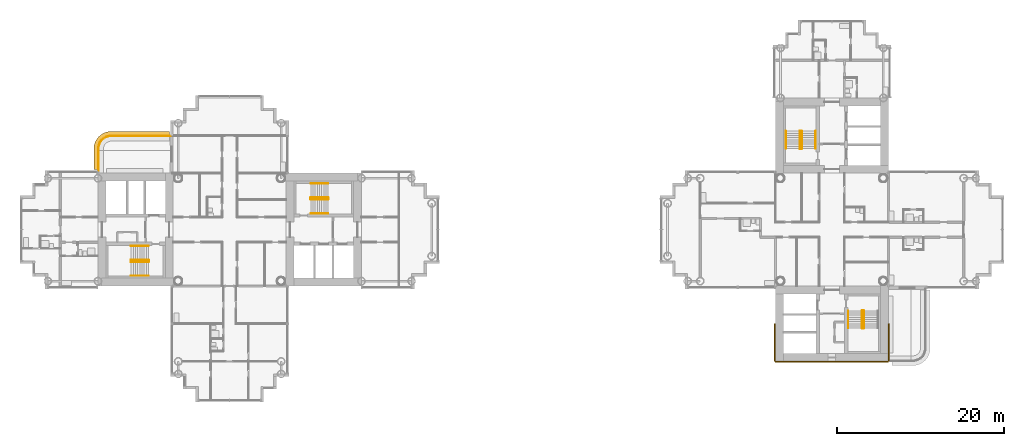
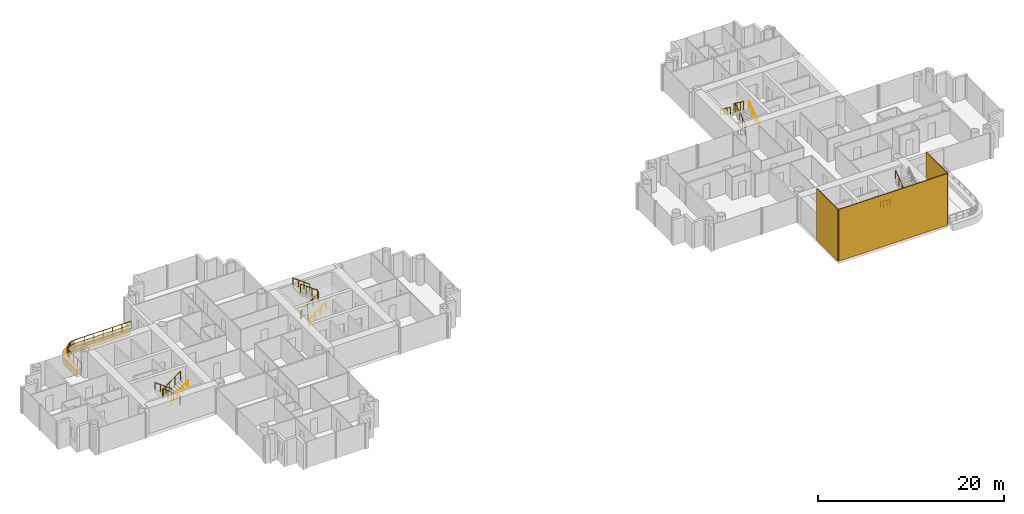
# One storey, part 20 of 22: 12 railings, 4 coverings.
"""IFC4 building model written with IfcOpenShell, lengths in metres."""

import ifcopenshell
import ifcopenshell.guid

model = None  # the IFC model being written
_history = None  # IfcOwnerHistory: only IFC2X3 demands one
_inside = {}  # id of a spatial element -> (the spatial element, [elements in it])
_under = {}  # id of a project, library or spatial element -> (it, [spatial elements below it])
_declared = {}  # id of a project -> (the project, [libraries it declares])
_typed = {}  # id of a type object -> (the type object, [elements of that type])
_made_of = {}  # id of a material, layer set ... -> (it, [elements and type objects made of it])


def new_model(schema):
    """Start an empty IFC model of exactly this schema.

    Asked for "IFC4X3", IfcOpenShell would pick the latest addendum, in which some entities
    have other attributes; the version numbers below select the first issue.
    IFC2X3 requires an IfcOwnerHistory on every rooted entity: one is made here for all.
    """
    global model, _history
    if schema == "IFC4X3":
        model = ifcopenshell.file(schema_version=(4, 3, 0, 0))
    else:
        model = ifcopenshell.file(schema=schema)
    _inside.clear()
    _under.clear()
    _declared.clear()
    _typed.clear()
    _made_of.clear()
    _history = None
    if model.schema == "IFC2X3":
        org = make("IfcOrganization", Name="unknown")
        user = make(
            "IfcPersonAndOrganization",
            ThePerson=make("IfcPerson", FamilyName="unknown"),
            TheOrganization=org,
        )
        app = make(
            "IfcApplication",
            ApplicationDeveloper=org,
            Version="unknown",
            ApplicationFullName="unknown",
            ApplicationIdentifier="unknown",
        )
        _history = make(
            "IfcOwnerHistory",
            OwningUser=user,
            OwningApplication=app,
            ChangeAction="ADDED",
            CreationDate=0,
        )
    return model


def make(cls, **values):
    """One entity of the class cls with the attributes given. An attribute that is None is left unset."""
    return model.create_entity(
        cls, **{name: value for name, value in values.items() if value is not None}
    )


def rooted(cls, **values):
    """An entity with a GlobalId (a new one), such as an element, a storey or a relation."""
    return make(cls, GlobalId=ifcopenshell.guid.new(), OwnerHistory=_history, **values)


def si_unit(unit_type, name, prefix=None):
    """IfcSIUnit, for example si_unit("LENGTHUNIT", "METRE", prefix="MILLI")."""
    return make("IfcSIUnit", UnitType=unit_type, Prefix=prefix, Name=name)


def assignment(units):
    """IfcUnitAssignment: the units of a project."""
    return None if units is None else make("IfcUnitAssignment", Units=units)


def point(xyz):
    """IfcCartesianPoint."""
    return None if xyz is None else make("IfcCartesianPoint", Coordinates=xyz)


def direction(xyz):
    """IfcDirection."""
    return None if xyz is None else make("IfcDirection", DirectionRatios=xyz)


def frame(location, z_axis=None, x_axis=None):
    """IfcAxis2Placement3D, a coordinate frame: its origin and axes. An axis left out is left unset."""
    return make(
        "IfcAxis2Placement3D",
        Location=point(location),
        Axis=direction(z_axis),
        RefDirection=direction(x_axis),
    )


def frame_2d(location, x_axis=None):
    """IfcAxis2Placement2D, a coordinate frame in the plane: its origin and x axis."""
    return make(
        "IfcAxis2Placement2D", Location=point(location), RefDirection=direction(x_axis)
    )


def origin():
    """The frame at (0, 0, 0) with its axes left unset."""
    return frame((0.0, 0.0, 0.0))


def origin_2d():
    """The frame at (0, 0) in the plane with its x axis left unset."""
    return frame_2d((0.0, 0.0))


def place(relative_to, where):
    """IfcLocalPlacement: puts the frame where relative to a parent placement (None: the world)."""
    return make(
        "IfcLocalPlacement", PlacementRelTo=relative_to, RelativePlacement=where
    )


def context(
    kind, dimensions, precision=None, world=None, true_north=None, identifier=None
):
    """IfcGeometricRepresentationContext, for example the 3D "Model" context."""
    return make(
        "IfcGeometricRepresentationContext",
        ContextIdentifier=identifier,
        ContextType=kind,
        CoordinateSpaceDimension=dimensions,
        Precision=precision,
        WorldCoordinateSystem=world,
        TrueNorth=true_north,
    )


def subcontext(parent, identifier, kind, view, scale=None):
    """IfcGeometricRepresentationSubContext, for example "Body" below "Model"."""
    return make(
        "IfcGeometricRepresentationSubContext",
        ContextIdentifier=identifier,
        ContextType=kind,
        ParentContext=parent,
        TargetScale=scale,
        TargetView=view,
    )


def project(units=None, contexts=None):
    """IfcProject with its units and contexts."""
    return rooted(
        "IfcProject",
        Name="project",
        RepresentationContexts=contexts,
        UnitsInContext=assignment(units),
    )


def spatial(cls, under=None, at=None, **own):
    """A site, building, storey or space (cls), placed at a placement, below another one or the project."""
    s = rooted(cls, ObjectPlacement=at, **own)
    if under is not None:
        _under.setdefault(under.id(), (under, []))[1].append(s)
    return s


def polyline(points):
    """IfcPolyline through the points."""
    return make("IfcPolyline", Points=[point(p) for p in points])


def profile(cls, at=None, kind="AREA", **sizes):
    """A parametric profile (cls). Its sizes go by their IFC names, for example OverallWidth=200.0."""
    return make(cls, ProfileType=kind, Position=at, **sizes)


def rectangle(**sizes):
    """IfcRectangleProfileDef."""
    return profile("IfcRectangleProfileDef", **sizes)


def circle(**sizes):
    """IfcCircleProfileDef."""
    return profile("IfcCircleProfileDef", **sizes)


def outline(outer, holes=None, kind="AREA"):
    """IfcArbitraryClosedProfileDef: a profile drawn as a closed curve; with holes, ...WithVoids."""
    if holes is None:
        return make("IfcArbitraryClosedProfileDef", ProfileType=kind, OuterCurve=outer)
    return make(
        "IfcArbitraryProfileDefWithVoids",
        ProfileType=kind,
        OuterCurve=outer,
        InnerCurves=holes,
    )


def extrude(swept, where, along, depth):
    """IfcExtrudedAreaSolid: the profile swept, set in the frame where, extruded along a direction by depth."""
    return make(
        "IfcExtrudedAreaSolid",
        SweptArea=swept,
        Position=where,
        ExtrudedDirection=direction(along),
        Depth=depth,
    )


def shape(context_of_items, identifier, shape_type, items):
    """IfcShapeRepresentation: the items that make up one representation, for example the "Body"."""
    return make(
        "IfcShapeRepresentation",
        ContextOfItems=context_of_items,
        RepresentationIdentifier=identifier,
        RepresentationType=shape_type,
        Items=items,
    )


def material(Name=None, Category=None):
    """IfcMaterial."""
    return make("IfcMaterial", Name=Name, Category=Category)


def layer(
    of_material, thickness, ventilated=None, Name=None, Category=None, Priority=None
):
    """IfcMaterialLayer: one layer of a wall or slab, of a material (None: an air gap)."""
    return make(
        "IfcMaterialLayer",
        Material=of_material,
        LayerThickness=thickness,
        IsVentilated=ventilated,
        Name=Name,
        Category=Category,
        Priority=Priority,
    )


def layer_set(layers, Name=None):
    """IfcMaterialLayerSet."""
    return make("IfcMaterialLayerSet", MaterialLayers=layers, LayerSetName=Name)


def made_of(thing, what):
    """Note that an element or type object is made of a material, layer set ...; save() writes the relation."""
    if what is not None:
        _made_of.setdefault(what.id(), (what, []))[1].append(thing)
    return thing


def type_object(cls, material=None, **own):
    """A type object (cls), such as IfcWallType, which elements share."""
    return made_of(rooted(cls, **own), material)


def element(
    cls,
    number,
    at=None,
    inside=None,
    cuts=None,
    type_object=None,
    material=None,
    context=None,
    identifier="Body",
    shape_type=None,
    held_by="IfcProductDefinitionShape",
    body=None,
    shapes=None,
    **own,
):
    """One element of the class cls, such as IfcWall. Its Tag is "e" and its number.

    at: its placement. inside: the storey or other place that contains it. cuts: it is an
    opening in that element (IfcRelVoidsElement). A single representation is given by context,
    identifier, shape_type and body (its items); several are given by shapes. held_by: the class
    of the entity that holds the representations. save() writes the other relations.
    """
    e = rooted(cls, Tag="e%d" % number, ObjectPlacement=at, **own)
    if body is not None:
        shapes = [shape(context, identifier, shape_type, body)]
    if shapes is not None:
        e.Representation = make(held_by, Representations=shapes)
    if inside is not None:
        _inside.setdefault(inside.id(), (inside, []))[1].append(e)
    if cuts is not None:
        rooted(
            "IfcRelVoidsElement", RelatingBuildingElement=cuts, RelatedOpeningElement=e
        )
    if type_object is not None:
        _typed.setdefault(type_object.id(), (type_object, []))[1].append(e)
    return made_of(e, material)


def aggregate(whole, parts):
    """IfcRelAggregates: a whole, such as a stair, and the parts it consists of."""
    return rooted("IfcRelAggregates", RelatingObject=whole, RelatedObjects=parts)


def save(model, path):
    """Write the relations noted so far, then the file.

    IfcRelAggregates (storeys below a building ...), IfcRelContainedInSpatialStructure (elements
    in a storey), IfcRelDefinesByType, IfcRelAssociatesMaterial and IfcRelDeclares: one each for
    every whole, place, type object, material and project.
    """
    for whole, parts in _under.values():
        aggregate(whole, parts)
    for where, things in _inside.values():
        rooted(
            "IfcRelContainedInSpatialStructure",
            RelatedElements=things,
            RelatingStructure=where,
        )
    for kind, things in _typed.values():
        rooted("IfcRelDefinesByType", RelatedObjects=things, RelatingType=kind)
    for what, things in _made_of.values():
        rooted("IfcRelAssociatesMaterial", RelatedObjects=things, RelatingMaterial=what)
    for by, libraries in _declared.values():
        rooted("IfcRelDeclares", RelatingContext=by, RelatedDefinitions=libraries)
    model.write(path)


model = new_model("IFC4")

# Units and contexts
model_context = context("Model", 3, precision=1e-05, world=origin(), true_north=direction((0.0, 1.0)))
body_context = subcontext(model_context, "Body", "Model", "MODEL_VIEW")
ifc_project = project(units=[si_unit("LENGTHUNIT", "METRE"), si_unit("AREAUNIT", "SQUARE_METRE"), si_unit("VOLUMEUNIT", "CUBIC_METRE"), si_unit("PLANEANGLEUNIT", "RADIAN"), si_unit("MASSUNIT", "GRAM", prefix="KILO")], contexts=[model_context])

# Site, building, storey
site_placement = place(None, origin())
site = spatial("IfcSite", under=ifc_project, at=site_placement, CompositionType="ELEMENT")
building_placement = place(site_placement, origin())
building = spatial("IfcBuilding", under=site, at=building_placement, Name="Ipe Terrace Towers", CompositionType="ELEMENT")
storey_placement = place(building_placement, frame((0.0, 0.0, 90.199951171875)))
storey = spatial("IfcBuildingStorey", under=building, at=storey_placement, Name="L24", CompositionType="ELEMENT", Elevation=90.199951171875)

# Railing
ifc_material_1 = material(Name="Stainless steel S316", Category="steel")
railing_type_1 = type_object("IfcRailingType", Name="GUARD 1100", PredefinedType="BALUSTRADE", material=ifc_material_1)
railing_1_placement = place(storey_placement, frame((-43.070068359375, 11.199951171875, -0.02001953125)))
element("IfcRailing", 1, at=railing_1_placement, inside=storey, type_object=railing_type_1, Name="guard", PredefinedType="BALUSTRADE", context=body_context, shape_type="SweptSolid", body=[
    extrude(circle(Radius=0.02392578125, at=origin_2d()), frame((0.0, 0.0, 1.076171875), z_axis=(-1.0, 0.0, 0.0), x_axis=(0.0, -1.0, 0.0)), (0.0, 0.0, 1.0), 7.077880859375),
    extrude(circle(Radius=0.02392578125, at=origin_2d()), frame((-7.077880859375, 0.0, 1.076171875), z_axis=(-0.997996439513, -0.063270109204, 0.0), x_axis=(0.063270109204, -0.997996439513, 0.0)), (0.0, 0.0, 1.0), 0.20458984375),
    extrude(circle(Radius=0.02392578125, at=origin_2d()), frame((-7.281982421875, -0.012939453125, 1.076171875), z_axis=(-0.980348670139, -0.197272615832, 0.0), x_axis=(0.197272615832, -0.980348670139, 0.0)), (0.0, 0.0, 1.0), 0.202880859375),
    extrude(circle(Radius=0.02392578125, at=origin_2d()), frame((-7.48095703125, -0.052978515625, 1.076171875), z_axis=(-0.947227229435, -0.320562904618, 0.0), x_axis=(0.320562904618, -0.947227229435, 0.0)), (0.0, 0.0, 1.0), 0.20263671875),
    extrude(circle(Radius=0.02392578125, at=origin_2d()), frame((-7.6728515625, -0.117919921875, 1.076171875), z_axis=(-0.896341374877, -0.443364567466, 0.0), x_axis=(0.443364567466, -0.896341374877, 0.0)), (0.0, 0.0, 1.0), 0.203125),
    extrude(circle(Radius=0.02392578125, at=origin_2d()), frame((-7.85498046875, -0.2080078125, 1.076171875), z_axis=(-0.833344910936, -0.552753344103, 0.0), x_axis=(0.552753344103, -0.833344910936, 0.0)), (0.0, 0.0, 1.0), 0.20263671875),
    extrude(circle(Radius=0.02392578125, at=origin_2d()), frame((-8.02392578125, -0.320068359375, 1.076171875), z_axis=(-0.750856952854, -0.660464863827, 0.0), x_axis=(0.660464863827, -0.750856952854, 0.0)), (0.0, 0.0, 1.0), 0.20263671875),
    extrude(circle(Radius=0.02392578125, at=origin_2d()), frame((-8.176025390625, -0.453857421875, 1.076171875), z_axis=(-0.660464863827, -0.750856952854, 0.0), x_axis=(0.750856952854, -0.660464863827, 0.0)), (0.0, 0.0, 1.0), 0.20263671875),
    extrude(circle(Radius=0.02392578125, at=origin_2d()), frame((-8.309814453125, -0.60595703125, 1.076171875), z_axis=(-0.552753344103, -0.833344910936, 0.0), x_axis=(0.833344910936, -0.552753344103, 0.0)), (0.0, 0.0, 1.0), 0.20263671875),
    extrude(circle(Radius=0.02392578125, at=origin_2d()), frame((-8.421875, -0.77490234375, 1.076171875), z_axis=(-0.443364567466, -0.896341374877, 0.0), x_axis=(0.896341374877, -0.443364567466, 0.0)), (0.0, 0.0, 1.0), 0.203125),
    extrude(circle(Radius=0.02392578125, at=origin_2d()), frame((-8.511962890625, -0.95703125, 1.076171875), z_axis=(-0.320562904618, -0.947227229435, 0.0), x_axis=(0.947227229435, -0.320562904618, 0.0)), (0.0, 0.0, 1.0), 0.20263671875),
    extrude(circle(Radius=0.02392578125, at=origin_2d()), frame((-8.576904296875, -1.14892578125, 1.076171875), z_axis=(-0.197272615832, -0.980348670139, 0.0), x_axis=(0.980348670139, -0.197272615832, 0.0)), (0.0, 0.0, 1.0), 0.202880859375),
    extrude(circle(Radius=0.02392578125, at=origin_2d()), frame((-8.616943359375, -1.347900390625, 1.076171875), z_axis=(-0.063270109204, -0.997996439513, 0.0), x_axis=(0.997996439513, -0.063270109204, 0.0)), (0.0, 0.0, 1.0), 0.20458984375),
    extrude(circle(Radius=0.02392578125, at=origin_2d()), frame((-8.6298828125, -1.552001953125, 1.076171875), z_axis=(0.0, -1.0, 0.0), x_axis=(1.0, 0.0, 0.0)), (0.0, 0.0, 1.0), 2.577880859375),
    extrude(circle(Radius=0.02099609375, at=origin_2d()), origin(), (0.0, 0.0, 1.0), 1.052001953125),
    extrude(circle(Radius=0.02099609375, at=origin_2d()), frame((-1.1796875, 0.0, 0.0)), (0.0, 0.0, 1.0), 1.052001953125),
    extrude(circle(Radius=0.02099609375, at=origin_2d()), frame((-2.359375, 0.0, 0.0)), (0.0, 0.0, 1.0), 1.052001953125),
    extrude(circle(Radius=0.02099609375, at=origin_2d()), frame((-3.5390625, 0.0, 0.0)), (0.0, 0.0, 1.0), 1.052001953125),
    extrude(circle(Radius=0.02099609375, at=origin_2d()), frame((-4.718505859375, 0.0, 0.0)), (0.0, 0.0, 1.0), 1.052001953125),
    extrude(circle(Radius=0.02099609375, at=origin_2d()), frame((-5.898193359375, 0.0, 0.0)), (0.0, 0.0, 1.0), 1.052001953125),
    extrude(circle(Radius=0.02099609375, at=origin_2d()), frame((-7.077880859375, 0.0, 0.0)), (0.0, 0.0, 1.0), 1.052001953125),
    extrude(circle(Radius=0.02099609375, at=origin_2d()), frame((-7.281982421875, -0.012939453125, 0.0)), (0.0, 0.0, 1.0), 1.052001953125),
    extrude(circle(Radius=0.02099609375, at=origin_2d()), frame((-7.48095703125, -0.052978515625, 0.0)), (0.0, 0.0, 1.0), 1.052001953125),
    extrude(circle(Radius=0.02099609375, at=origin_2d()), frame((-7.6728515625, -0.117919921875, 0.0)), (0.0, 0.0, 1.0), 1.052001953125),
    extrude(circle(Radius=0.02099609375, at=origin_2d()), frame((-7.85498046875, -0.2080078125, 0.0)), (0.0, 0.0, 1.0), 1.052001953125),
    extrude(circle(Radius=0.02099609375, at=origin_2d()), frame((-8.02392578125, -0.320068359375, 0.0)), (0.0, 0.0, 1.0), 1.052001953125),
    extrude(circle(Radius=0.02099609375, at=origin_2d()), frame((-8.176025390625, -0.453857421875, 0.0)), (0.0, 0.0, 1.0), 1.052001953125),
    extrude(circle(Radius=0.02099609375, at=origin_2d()), frame((-8.309814453125, -0.60595703125, 0.0)), (0.0, 0.0, 1.0), 1.052001953125),
    extrude(circle(Radius=0.02099609375, at=origin_2d()), frame((-8.421875, -0.77490234375, 0.0)), (0.0, 0.0, 1.0), 1.052001953125),
    extrude(circle(Radius=0.02099609375, at=origin_2d()), frame((-8.511962890625, -0.95703125, 0.0)), (0.0, 0.0, 1.0), 1.052001953125),
    extrude(circle(Radius=0.02099609375, at=origin_2d()), frame((-8.576904296875, -1.14892578125, 0.0)), (0.0, 0.0, 1.0), 1.052001953125),
    extrude(circle(Radius=0.02099609375, at=origin_2d()), frame((-8.616943359375, -1.347900390625, 0.0)), (0.0, 0.0, 1.0), 1.052001953125),
    extrude(circle(Radius=0.02099609375, at=origin_2d()), frame((-8.6298828125, -1.552001953125, 0.0)), (0.0, 0.0, 1.0), 1.052001953125),
    extrude(circle(Radius=0.02099609375, at=origin_2d()), frame((-8.6298828125, -2.411376953125, 0.0)), (0.0, 0.0, 1.0), 1.052001953125),
    extrude(circle(Radius=0.02099609375, at=origin_2d()), frame((-8.6298828125, -3.2705078125, 0.0)), (0.0, 0.0, 1.0), 1.052001953125),
    extrude(circle(Radius=0.02099609375, at=origin_2d()), frame((-8.6298828125, -4.1298828125, 0.0)), (0.0, 0.0, 1.0), 1.052001953125),
])

# Coverings
ifc_material_2 = material(Name="Concrete C50/60 precast, buff finish", Category="concrete")
ifc_layer_1 = layer(ifc_material_2, 0.1201171875)
ifc_layer_set_1 = layer_set([ifc_layer_1], Name="STONE CORE CLADDING 120")
covering_type_1 = type_object("IfcCoveringType", Name="STONE CORE CLADDING 120", PredefinedType="CLADDING", material=ifc_layer_set_1)
covering_1_placement = place(storey_placement, frame((36.0, -15.81005859375, 0.0), z_axis=(0.0, 0.0, 1.0), x_axis=(1.0, 0.0, 0.0)))
element("IfcCovering", 2, at=covering_1_placement, inside=storey, type_object=covering_type_1, Name="stone core cladding", PredefinedType="CLADDING", context=body_context, shape_type="SweptSolid", body=[
    extrude(rectangle(XDim=13.5, YDim=0.1201171875, at=origin_2d()), origin(), (0.0, 0.0, 1.0), 6.800048828125),
])
for number, where, z_axis, x_axis, name in (
    (3, (29.18994140625, -13.5, 0.0), (0.0, 0.0, 1.0), (0.0, -1.0, 0.0), "stone core cladding"),
    (4, (42.81005859375, -13.5, 0.0), (0.0, 0.0, 1.0), (0.0, 1.0, 0.0), "stone core cladding"),
):
    element("IfcCovering", number, at=place(storey_placement, frame(where, z_axis=z_axis, x_axis=x_axis)), inside=storey, type_object=covering_type_1, Name=name, PredefinedType="CLADDING", context=body_context, shape_type="SweptSolid", body=[
        extrude(rectangle(XDim=4.5, YDim=0.1201171875, at=origin_2d()), origin(), (0.0, 0.0, 1.0), 6.800048828125),
    ])
ifc_material_3 = material(Name="Concrete C50/60 precast, buff finish", Category="concrete")
ifc_layer_2 = layer(ifc_material_3, 0.5)
ifc_layer_set_2 = layer_set([ifc_layer_2], Name="STONE EDGE BAND 500 x 900")
covering_type_2 = type_object("IfcCoveringType", Name="STONE EDGE BAND 500 x 900", PredefinedType="CLADDING", material=ifc_layer_set_2)
covering_2_placement = place(storey_placement, frame((0.0, 0.0, -0.719970703125)))
element("IfcCovering", 5, at=covering_2_placement, inside=storey, type_object=covering_type_2, Name="stone edge band", PredefinedType="CLADDING", context=body_context, shape_type="SweptSolid", body=[
    extrude(outline(polyline([(-50.14990234375, 11.75), (-50.18310546875, 11.7490234375), (-50.39208984375, 11.735107421875), (-50.4560546875, 11.72705078125), (-50.662109375, 11.68603515625), (-50.72509765625, 11.6689453125), (-50.923095703125, 11.60205078125), (-50.98291015625, 11.576904296875), (-51.1708984375, 11.48388671875), (-51.22802734375, 11.450927734375), (-51.402099609375, 11.3349609375), (-51.4541015625, 11.294921875), (-51.611083984375, 11.156982421875), (-51.656982421875, 11.111083984375), (-51.794921875, 10.9541015625), (-51.8349609375, 10.902099609375), (-51.950927734375, 10.72802734375), (-51.98388671875, 10.6708984375), (-52.076904296875, 10.48291015625), (-52.10205078125, 10.423095703125), (-52.1689453125, 10.22509765625), (-52.18603515625, 10.162109375), (-52.22705078125, 9.9560546875), (-52.235107421875, 9.89208984375), (-52.2490234375, 9.68310546875), (-52.25, 9.64990234375), (-52.25, 7.199951171875), (-51.75, 7.199951171875), (-51.75, 9.64990234375), (-51.736083984375, 9.85888671875), (-51.695068359375, 10.06396484375), (-51.6279296875, 10.261962890625), (-51.535888671875, 10.449951171875), (-51.4189453125, 10.6240234375), (-51.281005859375, 10.781005859375), (-51.1240234375, 10.9189453125), (-50.949951171875, 11.035888671875), (-50.761962890625, 11.1279296875), (-50.56396484375, 11.195068359375), (-50.35888671875, 11.236083984375), (-50.14990234375, 11.25), (-43.199951171875, 11.25), (-43.199951171875, 11.75), (-50.14990234375, 11.75)])), origin(), (0.0, 0.0, 1.0), 0.89990234375),
])

# Railings
ifc_material_4 = material(Name="Steel S355", Category="steel")
railing_type_2 = type_object("IfcRailingType", Name="Stair guard 1100", PredefinedType="GUARDRAIL", material=ifc_material_4)
railing_2_placement = place(storey_placement, frame((-26.35009765625, 3.800048828125, 0.0)))
element("IfcRailing", 6, at=railing_2_placement, inside=storey, type_object=railing_type_2, Name="L24 T1-ST1 stair guard 1", PredefinedType="GUARDRAIL", context=body_context, shape_type="SweptSolid", body=[
    extrude(circle(Radius=0.02392578125, at=origin_2d()), frame((0.0, 0.0, 1.076171875), z_axis=(0.0, -1.0, 0.0), x_axis=(1.0, 0.0, 0.0)), (0.0, 0.0, 1.0), 0.150146484375),
    extrude(circle(Radius=0.02392578125, at=origin_2d()), frame((0.0, -0.150146484375, 1.076171875), z_axis=(0.248103849378, -0.246893586699, 0.936743314239), x_axis=(0.705375805398, 0.708833529934, 0.0)), (0.0, 0.0, 1.0), 0.20166015625),
    extrude(circle(Radius=0.02392578125, at=origin_2d()), frame((0.050048828125, -0.199951171875, 1.26513671875), z_axis=(0.809068575486, 0.0, 0.587714250432), x_axis=(0.0, 1.0, 0.0)), (0.0, 0.0, 1.0), 2.571044921875),
    extrude(circle(Radius=0.02392578125, at=origin_2d()), frame((2.130126953125, -0.199951171875, 2.77587890625), z_axis=(0.708833529934, 0.705375805398, 0.0), x_axis=(-0.705375805398, 0.708833529934, 0.0)), (0.0, 0.0, 1.0), 0.070556640625),
    extrude(circle(Radius=0.02392578125, at=origin_2d()), frame((2.18017578125, -0.150146484375, 2.77587890625), z_axis=(0.0, 1.0, 0.0), x_axis=(-1.0, 0.0, 0.0)), (0.0, 0.0, 1.0), 0.150146484375),
    extrude(circle(Radius=0.02392578125, at=origin_2d()), frame((2.18017578125, 0.0, 2.77587890625), z_axis=(-0.248029566107, 0.248029566107, 0.936462849596), x_axis=(-0.707106781187, -0.707106781187, 0.0)), (0.0, 0.0, 1.0), 0.201904296875),
    extrude(circle(Radius=0.02392578125, at=origin_2d()), frame((2.130126953125, 0.050048828125, 2.96484375), z_axis=(-0.809023421508, 0.0, 0.587776406001), x_axis=(0.0, -1.0, 0.0)), (0.0, 0.0, 1.0), 2.571044921875),
    extrude(circle(Radius=0.02099609375, at=origin_2d()), origin(), (0.0, 0.0, 1.0), 1.052001953125),
    extrude(circle(Radius=0.02099609375, at=origin_2d()), frame((0.0, -0.150146484375, 0.0)), (0.0, 0.0, 1.0), 1.052001953125),
    extrude(circle(Radius=0.02099609375, at=origin_2d()), frame((0.050048828125, -0.199951171875, 0.18896484375)), (0.0, 0.0, 1.0), 1.052001953125),
    extrude(circle(Radius=0.02099609375, at=origin_2d()), frame((0.743408203125, -0.199951171875, 0.692626953125)), (0.0, 0.0, 1.0), 1.052001953125),
    extrude(circle(Radius=0.02099609375, at=origin_2d()), frame((1.436767578125, -0.199951171875, 1.1962890625)), (0.0, 0.0, 1.0), 1.052001953125),
    extrude(circle(Radius=0.02099609375, at=origin_2d()), frame((2.130126953125, -0.199951171875, 1.699951171875)), (0.0, 0.0, 1.0), 1.052001953125),
    extrude(circle(Radius=0.02099609375, at=origin_2d()), frame((2.18017578125, -0.150146484375, 1.699951171875)), (0.0, 0.0, 1.0), 1.052001953125),
    extrude(circle(Radius=0.02099609375, at=origin_2d()), frame((2.18017578125, 0.0, 1.699951171875)), (0.0, 0.0, 1.0), 1.052001953125),
    extrude(circle(Radius=0.02099609375, at=origin_2d()), frame((2.130126953125, 0.050048828125, 1.888916015625)), (0.0, 0.0, 1.0), 1.052001953125),
    extrude(circle(Radius=0.02099609375, at=origin_2d()), frame((1.436767578125, 0.050048828125, 2.392578125)), (0.0, 0.0, 1.0), 1.052001953125),
    extrude(circle(Radius=0.02099609375, at=origin_2d()), frame((0.743408203125, 0.050048828125, 2.896484375)), (0.0, 0.0, 1.0), 1.052001953125),
    extrude(circle(Radius=0.02099609375, at=origin_2d()), frame((0.050048828125, 0.050048828125, 3.400146484375)), (0.0, 0.0, 1.0), 1.052001953125),
])
railing_3_placement = place(storey_placement, frame((-45.64990234375, -3.800048828125, 0.0)))
element("IfcRailing", 7, at=railing_3_placement, inside=storey, type_object=railing_type_2, Name="L24 T1-ST2 stair guard 1", PredefinedType="GUARDRAIL", context=body_context, shape_type="SweptSolid", body=[
    extrude(circle(Radius=0.02392578125, at=origin_2d()), frame((0.0, 0.0, 1.076171875), z_axis=(0.0, 1.0, 0.0), x_axis=(-1.0, 0.0, 0.0)), (0.0, 0.0, 1.0), 0.150146484375),
    extrude(circle(Radius=0.02392578125, at=origin_2d()), frame((0.0, 0.150146484375, 1.076171875), z_axis=(-0.248103849378, 0.246893586699, 0.936743314239), x_axis=(-0.705375805398, -0.708833529934, 0.0)), (0.0, 0.0, 1.0), 0.20166015625),
    extrude(circle(Radius=0.02392578125, at=origin_2d()), frame((-0.050048828125, 0.199951171875, 1.26513671875), z_axis=(-0.809068575486, 0.0, 0.587714250432), x_axis=(0.0, -1.0, 0.0)), (0.0, 0.0, 1.0), 2.571044921875),
    extrude(circle(Radius=0.02392578125, at=origin_2d()), frame((-2.130126953125, 0.199951171875, 2.77587890625), z_axis=(-0.708833529934, -0.705375805398, 0.0), x_axis=(0.705375805398, -0.708833529934, 0.0)), (0.0, 0.0, 1.0), 0.070556640625),
    extrude(circle(Radius=0.02392578125, at=origin_2d()), frame((-2.18017578125, 0.150146484375, 2.77587890625), z_axis=(0.0, -1.0, 0.0), x_axis=(1.0, 0.0, 0.0)), (0.0, 0.0, 1.0), 0.150146484375),
    extrude(circle(Radius=0.02392578125, at=origin_2d()), frame((-2.18017578125, 0.0, 2.77587890625), z_axis=(0.248029566107, -0.248029566107, 0.936462849596), x_axis=(0.707106781187, 0.707106781187, 0.0)), (0.0, 0.0, 1.0), 0.201904296875),
    extrude(circle(Radius=0.02392578125, at=origin_2d()), frame((-2.130126953125, -0.050048828125, 2.96484375), z_axis=(0.809023421508, 0.0, 0.587776406001), x_axis=(0.0, 1.0, 0.0)), (0.0, 0.0, 1.0), 2.571044921875),
    extrude(circle(Radius=0.02099609375, at=origin_2d()), origin(), (0.0, 0.0, 1.0), 1.052001953125),
    extrude(circle(Radius=0.02099609375, at=origin_2d()), frame((0.0, 0.150146484375, 0.0)), (0.0, 0.0, 1.0), 1.052001953125),
    extrude(circle(Radius=0.02099609375, at=origin_2d()), frame((-0.050048828125, 0.199951171875, 0.18896484375)), (0.0, 0.0, 1.0), 1.052001953125),
    extrude(circle(Radius=0.02099609375, at=origin_2d()), frame((-0.743408203125, 0.199951171875, 0.692626953125)), (0.0, 0.0, 1.0), 1.052001953125),
    extrude(circle(Radius=0.02099609375, at=origin_2d()), frame((-1.436767578125, 0.199951171875, 1.1962890625)), (0.0, 0.0, 1.0), 1.052001953125),
    extrude(circle(Radius=0.02099609375, at=origin_2d()), frame((-2.130126953125, 0.199951171875, 1.699951171875)), (0.0, 0.0, 1.0), 1.052001953125),
    extrude(circle(Radius=0.02099609375, at=origin_2d()), frame((-2.18017578125, 0.150146484375, 1.699951171875)), (0.0, 0.0, 1.0), 1.052001953125),
    extrude(circle(Radius=0.02099609375, at=origin_2d()), frame((-2.18017578125, 0.0, 1.699951171875)), (0.0, 0.0, 1.0), 1.052001953125),
    extrude(circle(Radius=0.02099609375, at=origin_2d()), frame((-2.130126953125, -0.050048828125, 1.888916015625)), (0.0, 0.0, 1.0), 1.052001953125),
    extrude(circle(Radius=0.02099609375, at=origin_2d()), frame((-1.436767578125, -0.050048828125, 2.392578125)), (0.0, 0.0, 1.0), 1.052001953125),
    extrude(circle(Radius=0.02099609375, at=origin_2d()), frame((-0.743408203125, -0.050048828125, 2.896484375)), (0.0, 0.0, 1.0), 1.052001953125),
    extrude(circle(Radius=0.02099609375, at=origin_2d()), frame((-0.050048828125, -0.050048828125, 3.400146484375)), (0.0, 0.0, 1.0), 1.052001953125),
])
railing_4_placement = place(storey_placement, frame((32.199951171875, 9.64990234375, 0.0)))
element("IfcRailing", 8, at=railing_4_placement, inside=storey, type_object=railing_type_2, Name="L24 T2-ST1 stair guard 1", PredefinedType="GUARDRAIL", context=body_context, shape_type="SweptSolid", body=[
    extrude(circle(Radius=0.02392578125, at=origin_2d()), frame((0.0, 0.0, 1.076171875), z_axis=(1.0, 0.0, 0.0), x_axis=(0.0, 1.0, 0.0)), (0.0, 0.0, 1.0), 0.150146484375),
    extrude(circle(Radius=0.02392578125, at=origin_2d()), frame((0.150146484375, 0.0, 1.076171875), z_axis=(0.246893586699, 0.248103849378, 0.936743314239), x_axis=(-0.708833529934, 0.705375805398, 0.0)), (0.0, 0.0, 1.0), 0.20166015625),
    extrude(circle(Radius=0.02392578125, at=origin_2d()), frame((0.199951171875, 0.050048828125, 1.26513671875), z_axis=(0.0, 0.809068575486, 0.587714250432), x_axis=(-1.0, 0.0, 0.0)), (0.0, 0.0, 1.0), 2.571044921875),
    extrude(circle(Radius=0.02392578125, at=origin_2d()), frame((0.199951171875, 2.130126953125, 2.77587890625), z_axis=(-0.705375805398, 0.708833529934, 0.0), x_axis=(-0.708833529934, -0.705375805398, 0.0)), (0.0, 0.0, 1.0), 0.070556640625),
    extrude(circle(Radius=0.02392578125, at=origin_2d()), frame((0.150146484375, 2.18017578125, 2.77587890625), z_axis=(-1.0, 0.0, 0.0), x_axis=(0.0, -1.0, 0.0)), (0.0, 0.0, 1.0), 0.150146484375),
    extrude(circle(Radius=0.02392578125, at=origin_2d()), frame((0.0, 2.18017578125, 2.77587890625), z_axis=(-0.248029566107, -0.248029566107, 0.936462849596), x_axis=(0.707106781187, -0.707106781187, 0.0)), (0.0, 0.0, 1.0), 0.201904296875),
    extrude(circle(Radius=0.02392578125, at=origin_2d()), frame((-0.050048828125, 2.130126953125, 2.96484375), z_axis=(0.0, -0.809023421508, 0.587776406001), x_axis=(1.0, 0.0, 0.0)), (0.0, 0.0, 1.0), 2.571044921875),
    extrude(circle(Radius=0.02099609375, at=origin_2d()), origin(), (0.0, 0.0, 1.0), 1.052001953125),
    extrude(circle(Radius=0.02099609375, at=origin_2d()), frame((0.150146484375, 0.0, 0.0)), (0.0, 0.0, 1.0), 1.052001953125),
    extrude(circle(Radius=0.02099609375, at=origin_2d()), frame((0.199951171875, 0.050048828125, 0.18896484375)), (0.0, 0.0, 1.0), 1.052001953125),
    extrude(circle(Radius=0.02099609375, at=origin_2d()), frame((0.199951171875, 0.743408203125, 0.692626953125)), (0.0, 0.0, 1.0), 1.052001953125),
    extrude(circle(Radius=0.02099609375, at=origin_2d()), frame((0.199951171875, 1.436767578125, 1.1962890625)), (0.0, 0.0, 1.0), 1.052001953125),
    extrude(circle(Radius=0.02099609375, at=origin_2d()), frame((0.199951171875, 2.130126953125, 1.699951171875)), (0.0, 0.0, 1.0), 1.052001953125),
    extrude(circle(Radius=0.02099609375, at=origin_2d()), frame((0.150146484375, 2.18017578125, 1.699951171875)), (0.0, 0.0, 1.0), 1.052001953125),
    extrude(circle(Radius=0.02099609375, at=origin_2d()), frame((0.0, 2.18017578125, 1.699951171875)), (0.0, 0.0, 1.0), 1.052001953125),
    extrude(circle(Radius=0.02099609375, at=origin_2d()), frame((-0.050048828125, 2.130126953125, 1.888916015625)), (0.0, 0.0, 1.0), 1.052001953125),
    extrude(circle(Radius=0.02099609375, at=origin_2d()), frame((-0.050048828125, 1.436767578125, 2.392578125)), (0.0, 0.0, 1.0), 1.052001953125),
    extrude(circle(Radius=0.02099609375, at=origin_2d()), frame((-0.050048828125, 0.743408203125, 2.896484375)), (0.0, 0.0, 1.0), 1.052001953125),
    extrude(circle(Radius=0.02099609375, at=origin_2d()), frame((-0.050048828125, 0.050048828125, 3.400146484375)), (0.0, 0.0, 1.0), 1.052001953125),
])
railing_5_placement = place(storey_placement, frame((39.800048828125, -9.64990234375, 0.0)))
element("IfcRailing", 9, at=railing_5_placement, inside=storey, type_object=railing_type_2, Name="L24 T2-ST2 stair guard 1", PredefinedType="GUARDRAIL", context=body_context, shape_type="SweptSolid", body=[
    extrude(circle(Radius=0.02392578125, at=origin_2d()), frame((0.0, 0.0, 1.076171875), z_axis=(-1.0, 0.0, 0.0), x_axis=(0.0, -1.0, 0.0)), (0.0, 0.0, 1.0), 0.150146484375),
    extrude(circle(Radius=0.02392578125, at=origin_2d()), frame((-0.150146484375, 0.0, 1.076171875), z_axis=(-0.246893586699, -0.248103849378, 0.936743314239), x_axis=(0.708833529934, -0.705375805398, 0.0)), (0.0, 0.0, 1.0), 0.20166015625),
    extrude(circle(Radius=0.02392578125, at=origin_2d()), frame((-0.199951171875, -0.050048828125, 1.26513671875), z_axis=(0.0, -0.809068575486, 0.587714250432), x_axis=(1.0, 0.0, 0.0)), (0.0, 0.0, 1.0), 2.571044921875),
    extrude(circle(Radius=0.02392578125, at=origin_2d()), frame((-0.199951171875, -2.130126953125, 2.77587890625), z_axis=(0.705375805398, -0.708833529934, 0.0), x_axis=(0.708833529934, 0.705375805398, 0.0)), (0.0, 0.0, 1.0), 0.070556640625),
    extrude(circle(Radius=0.02392578125, at=origin_2d()), frame((-0.150146484375, -2.18017578125, 2.77587890625), z_axis=(1.0, 0.0, 0.0), x_axis=(0.0, 1.0, 0.0)), (0.0, 0.0, 1.0), 0.150146484375),
    extrude(circle(Radius=0.02392578125, at=origin_2d()), frame((0.0, -2.18017578125, 2.77587890625), z_axis=(0.248029566107, 0.248029566107, 0.936462849596), x_axis=(-0.707106781187, 0.707106781187, 0.0)), (0.0, 0.0, 1.0), 0.201904296875),
    extrude(circle(Radius=0.02392578125, at=origin_2d()), frame((0.050048828125, -2.130126953125, 2.96484375), z_axis=(0.0, 0.809023421508, 0.587776406001), x_axis=(-1.0, 0.0, 0.0)), (0.0, 0.0, 1.0), 2.571044921875),
    extrude(circle(Radius=0.02099609375, at=origin_2d()), origin(), (0.0, 0.0, 1.0), 1.052001953125),
    extrude(circle(Radius=0.02099609375, at=origin_2d()), frame((-0.150146484375, 0.0, 0.0)), (0.0, 0.0, 1.0), 1.052001953125),
    extrude(circle(Radius=0.02099609375, at=origin_2d()), frame((-0.199951171875, -0.050048828125, 0.18896484375)), (0.0, 0.0, 1.0), 1.052001953125),
    extrude(circle(Radius=0.02099609375, at=origin_2d()), frame((-0.199951171875, -0.743408203125, 0.692626953125)), (0.0, 0.0, 1.0), 1.052001953125),
    extrude(circle(Radius=0.02099609375, at=origin_2d()), frame((-0.199951171875, -1.436767578125, 1.1962890625)), (0.0, 0.0, 1.0), 1.052001953125),
    extrude(circle(Radius=0.02099609375, at=origin_2d()), frame((-0.199951171875, -2.130126953125, 1.699951171875)), (0.0, 0.0, 1.0), 1.052001953125),
    extrude(circle(Radius=0.02099609375, at=origin_2d()), frame((-0.150146484375, -2.18017578125, 1.699951171875)), (0.0, 0.0, 1.0), 1.052001953125),
    extrude(circle(Radius=0.02099609375, at=origin_2d()), frame((0.0, -2.18017578125, 1.699951171875)), (0.0, 0.0, 1.0), 1.052001953125),
    extrude(circle(Radius=0.02099609375, at=origin_2d()), frame((0.050048828125, -2.130126953125, 1.888916015625)), (0.0, 0.0, 1.0), 1.052001953125),
    extrude(circle(Radius=0.02099609375, at=origin_2d()), frame((0.050048828125, -1.436767578125, 2.392578125)), (0.0, 0.0, 1.0), 1.052001953125),
    extrude(circle(Radius=0.02099609375, at=origin_2d()), frame((0.050048828125, -0.743408203125, 2.896484375)), (0.0, 0.0, 1.0), 1.052001953125),
    extrude(circle(Radius=0.02099609375, at=origin_2d()), frame((0.050048828125, -0.050048828125, 3.400146484375)), (0.0, 0.0, 1.0), 1.052001953125),
])
ifc_material_5 = material(Name="Stainless steel grade 304", Category="steel")
railing_type_3 = type_object("IfcRailingType", Name="Stair handrail 900", PredefinedType="HANDRAIL", material=ifc_material_5)
railing_6_placement = place(storey_placement, frame((-26.300048828125, 1.949951171875, 0.18896484375)))
element("IfcRailing", 10, at=railing_6_placement, inside=storey, type_object=railing_type_3, Name="L24 T1-ST1 stair handrail 1", PredefinedType="HANDRAIL", context=body_context, shape_type="SweptSolid", body=[
    extrude(circle(Radius=0.02392578125, at=origin_2d()), frame((0.0, 0.0, 0.8759765625), z_axis=(0.809068575486, 0.0, 0.587714250432), x_axis=(0.0, 1.0, 0.0)), (0.0, 0.0, 1.0), 2.571044921875),
    extrude(circle(Radius=0.02099609375, at=origin_2d()), origin(), (0.0, 0.0, 1.0), 0.851806640625),
    extrude(circle(Radius=0.02099609375, at=origin_2d()), frame((0.693359375, 0.0, 0.503662109375)), (0.0, 0.0, 1.0), 0.851806640625),
    extrude(circle(Radius=0.02099609375, at=origin_2d()), frame((1.38671875, 0.0, 1.00732421875)), (0.0, 0.0, 1.0), 0.851806640625),
    extrude(circle(Radius=0.02099609375, at=origin_2d()), frame((2.080078125, 0.0, 1.510986328125)), (0.0, 0.0, 1.0), 0.851806640625),
])
railing_7_placement = place(storey_placement, frame((-24.219970703125, 5.5, 1.888916015625)))
element("IfcRailing", 11, at=railing_7_placement, inside=storey, type_object=railing_type_3, Name="L24 T1-ST1 stair handrail 2", PredefinedType="HANDRAIL", context=body_context, shape_type="SweptSolid", body=[
    extrude(circle(Radius=0.02392578125, at=origin_2d()), frame((0.0, 0.0, 0.8759765625), z_axis=(-0.809023421508, 0.0, 0.587776406001), x_axis=(0.0, -1.0, 0.0)), (0.0, 0.0, 1.0), 2.571044921875),
    extrude(circle(Radius=0.02099609375, at=origin_2d()), origin(), (0.0, 0.0, 1.0), 0.851806640625),
    extrude(circle(Radius=0.02099609375, at=origin_2d()), frame((-0.693359375, 0.0, 0.503662109375)), (0.0, 0.0, 1.0), 0.851806640625),
    extrude(circle(Radius=0.02099609375, at=origin_2d()), frame((-1.38671875, 0.0, 1.007568359375)), (0.0, 0.0, 1.0), 0.851806640625),
    extrude(circle(Radius=0.02099609375, at=origin_2d()), frame((-2.080078125, 0.0, 1.51123046875)), (0.0, 0.0, 1.0), 0.851806640625),
])
railing_8_placement = place(storey_placement, frame((-45.699951171875, -1.949951171875, 0.18896484375)))
element("IfcRailing", 12, at=railing_8_placement, inside=storey, type_object=railing_type_3, Name="L24 T1-ST2 stair handrail 1", PredefinedType="HANDRAIL", context=body_context, shape_type="SweptSolid", body=[
    extrude(circle(Radius=0.02392578125, at=origin_2d()), frame((0.0, 0.0, 0.8759765625), z_axis=(-0.809068575486, 0.0, 0.587714250432), x_axis=(0.0, -1.0, 0.0)), (0.0, 0.0, 1.0), 2.571044921875),
    extrude(circle(Radius=0.02099609375, at=origin_2d()), origin(), (0.0, 0.0, 1.0), 0.851806640625),
    extrude(circle(Radius=0.02099609375, at=origin_2d()), frame((-0.693359375, 0.0, 0.503662109375)), (0.0, 0.0, 1.0), 0.851806640625),
    extrude(circle(Radius=0.02099609375, at=origin_2d()), frame((-1.38671875, 0.0, 1.00732421875)), (0.0, 0.0, 1.0), 0.851806640625),
    extrude(circle(Radius=0.02099609375, at=origin_2d()), frame((-2.080078125, 0.0, 1.510986328125)), (0.0, 0.0, 1.0), 0.851806640625),
])
railing_9_placement = place(storey_placement, frame((-47.780029296875, -5.5, 1.888916015625)))
element("IfcRailing", 13, at=railing_9_placement, inside=storey, type_object=railing_type_3, Name="L24 T1-ST2 stair handrail 2", PredefinedType="HANDRAIL", context=body_context, shape_type="SweptSolid", body=[
    extrude(circle(Radius=0.02392578125, at=origin_2d()), frame((0.0, 0.0, 0.8759765625), z_axis=(0.809023421508, 0.0, 0.587776406001), x_axis=(0.0, 1.0, 0.0)), (0.0, 0.0, 1.0), 2.571044921875),
    extrude(circle(Radius=0.02099609375, at=origin_2d()), origin(), (0.0, 0.0, 1.0), 0.851806640625),
    extrude(circle(Radius=0.02099609375, at=origin_2d()), frame((0.693359375, 0.0, 0.503662109375)), (0.0, 0.0, 1.0), 0.851806640625),
    extrude(circle(Radius=0.02099609375, at=origin_2d()), frame((1.38671875, 0.0, 1.007568359375)), (0.0, 0.0, 1.0), 0.851806640625),
    extrude(circle(Radius=0.02099609375, at=origin_2d()), frame((2.080078125, 0.0, 1.51123046875)), (0.0, 0.0, 1.0), 0.851806640625),
])
railing_10_placement = place(storey_placement, frame((34.050048828125, 9.699951171875, 0.18896484375)))
element("IfcRailing", 14, at=railing_10_placement, inside=storey, type_object=railing_type_3, Name="L24 T2-ST1 stair handrail 1", PredefinedType="HANDRAIL", context=body_context, shape_type="SweptSolid", body=[
    extrude(circle(Radius=0.02392578125, at=origin_2d()), frame((0.0, 0.0, 0.8759765625), z_axis=(0.0, 0.809068575486, 0.587714250432), x_axis=(-1.0, 0.0, 0.0)), (0.0, 0.0, 1.0), 2.571044921875),
    extrude(circle(Radius=0.02099609375, at=origin_2d()), origin(), (0.0, 0.0, 1.0), 0.851806640625),
    extrude(circle(Radius=0.02099609375, at=origin_2d()), frame((0.0, 0.693359375, 0.503662109375)), (0.0, 0.0, 1.0), 0.851806640625),
    extrude(circle(Radius=0.02099609375, at=origin_2d()), frame((0.0, 1.38671875, 1.00732421875)), (0.0, 0.0, 1.0), 0.851806640625),
    extrude(circle(Radius=0.02099609375, at=origin_2d()), frame((0.0, 2.080078125, 1.510986328125)), (0.0, 0.0, 1.0), 0.851806640625),
])
railing_11_placement = place(storey_placement, frame((30.5, 11.780029296875, 1.888916015625)))
element("IfcRailing", 15, at=railing_11_placement, inside=storey, type_object=railing_type_3, Name="L24 T2-ST1 stair handrail 2", PredefinedType="HANDRAIL", context=body_context, shape_type="SweptSolid", body=[
    extrude(circle(Radius=0.02392578125, at=origin_2d()), frame((0.0, 0.0, 0.8759765625), z_axis=(0.0, -0.809023421508, 0.587776406001), x_axis=(1.0, 0.0, 0.0)), (0.0, 0.0, 1.0), 2.571044921875),
    extrude(circle(Radius=0.02099609375, at=origin_2d()), origin(), (0.0, 0.0, 1.0), 0.851806640625),
    extrude(circle(Radius=0.02099609375, at=origin_2d()), frame((0.0, -0.693359375, 0.503662109375)), (0.0, 0.0, 1.0), 0.851806640625),
    extrude(circle(Radius=0.02099609375, at=origin_2d()), frame((0.0, -1.38671875, 1.007568359375)), (0.0, 0.0, 1.0), 0.851806640625),
    extrude(circle(Radius=0.02099609375, at=origin_2d()), frame((0.0, -2.080078125, 1.51123046875)), (0.0, 0.0, 1.0), 0.851806640625),
])
railing_12_placement = place(storey_placement, frame((37.949951171875, -9.699951171875, 0.18896484375)))
element("IfcRailing", 16, at=railing_12_placement, inside=storey, type_object=railing_type_3, Name="L24 T2-ST2 stair handrail 1", PredefinedType="HANDRAIL", context=body_context, shape_type="SweptSolid", body=[
    extrude(circle(Radius=0.02392578125, at=origin_2d()), frame((0.0, 0.0, 0.8759765625), z_axis=(0.0, -0.809068575486, 0.587714250432), x_axis=(1.0, 0.0, 0.0)), (0.0, 0.0, 1.0), 2.571044921875),
    extrude(circle(Radius=0.02099609375, at=origin_2d()), origin(), (0.0, 0.0, 1.0), 0.851806640625),
    extrude(circle(Radius=0.02099609375, at=origin_2d()), frame((0.0, -0.693359375, 0.503662109375)), (0.0, 0.0, 1.0), 0.851806640625),
    extrude(circle(Radius=0.02099609375, at=origin_2d()), frame((0.0, -1.38671875, 1.00732421875)), (0.0, 0.0, 1.0), 0.851806640625),
    extrude(circle(Radius=0.02099609375, at=origin_2d()), frame((0.0, -2.080078125, 1.510986328125)), (0.0, 0.0, 1.0), 0.851806640625),
])

save(model, "model.ifc")
